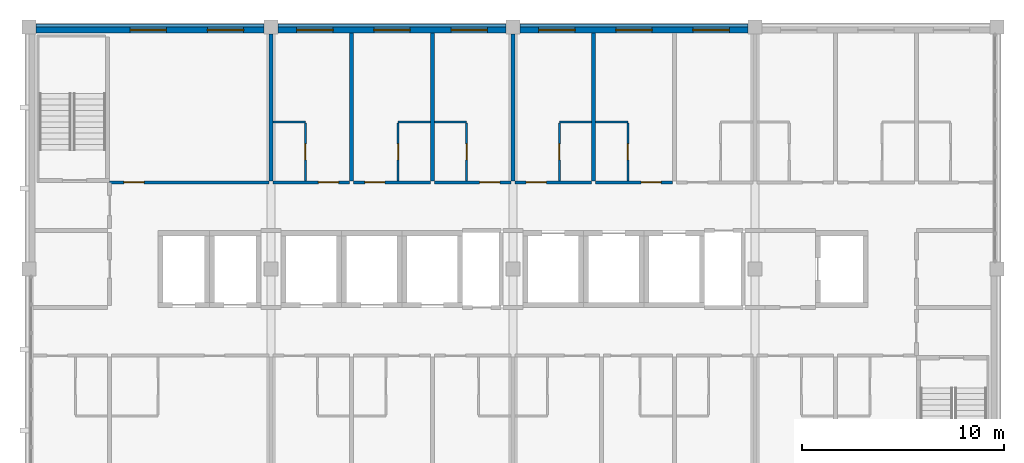
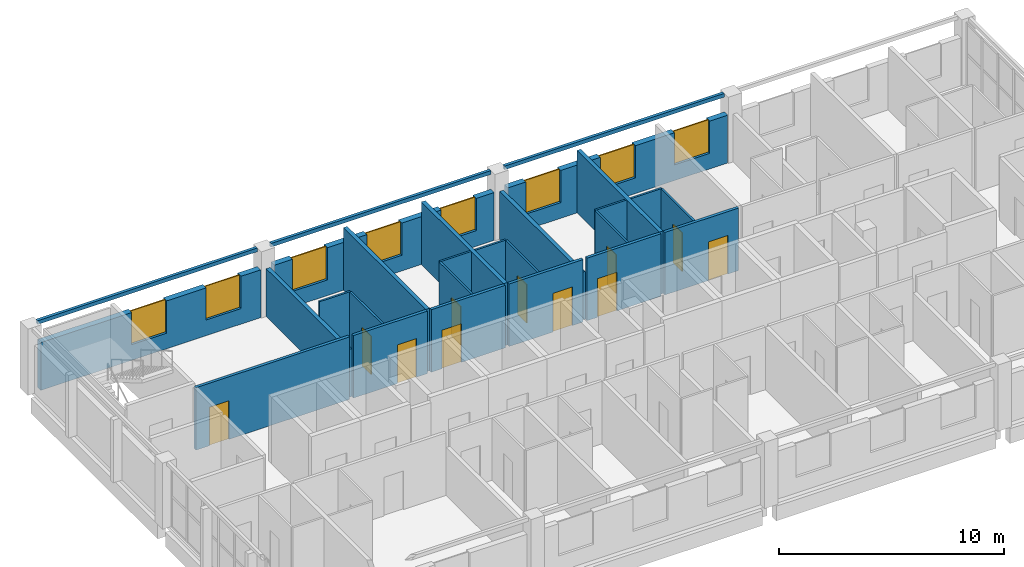
# One storey, part 8 of 11: 27 walls, 11 doors, 8 windows, 19 openings.
"""IFC4 building model written with IfcOpenShell, lengths in metres."""

from ifc_helpers import new_model, si_unit, direction, frame, frame_2d, origin, place, context, subcontext, project, spatial, rectangle, extrude, material, layer, layer_set, type_object, element, fill, save


model = new_model("IFC4")

# Units and contexts
model_context = context("Model", 3, precision=1e-05, world=origin(), true_north=direction((0.0, 1.0)))
body_context = subcontext(model_context, "Body", "Model", "MODEL_VIEW")
ifc_project = project(units=[si_unit("LENGTHUNIT", "METRE"), si_unit("AREAUNIT", "SQUARE_METRE"), si_unit("VOLUMEUNIT", "CUBIC_METRE"), si_unit("PLANEANGLEUNIT", "RADIAN"), si_unit("MASSUNIT", "GRAM", prefix="KILO")], contexts=[model_context])

# Site, building, storey
site_placement = place(None, origin())
site = spatial("IfcSite", under=ifc_project, at=site_placement, CompositionType="ELEMENT")
building_placement = place(site_placement, origin())
building = spatial("IfcBuilding", under=site, at=building_placement, Name="Lilac Gate Convention Centre", CompositionType="ELEMENT")
storey_placement = place(building_placement, frame((0.0, 0.0, 57.0)))
storey = spatial("IfcBuildingStorey", under=building, at=storey_placement, Name="L14", CompositionType="ELEMENT", Elevation=57.0)

# Wall, opening, door
ifc_material_1 = material(Name="Gypsum board on steel stud", Category="steel")
ifc_layer_1 = layer(ifc_material_1, 0.14990234375)
ifc_layer_set_1 = layer_set([ifc_layer_1], Name="Gypsum board on steel stud")
wall_type_1 = type_object("IfcWallType", Name="Corridor wall 150", PredefinedType="PARTITIONING", material=ifc_layer_set_1)
wall_1_placement = place(storey_placement, frame((46.0, 238.300048828125, 0.0), z_axis=(0.0, 0.0, 1.0), x_axis=(1.0, 0.0, 0.0)))
wall_1 = element("IfcWall", 1, at=wall_1_placement, inside=storey, type_object=wall_type_1, Name="Corridor wall 150 front lounge", PredefinedType="PARTITIONING", context=body_context, shape_type="SweptSolid", body=[
    extrude(rectangle(XDim=7.89990234375, YDim=0.14990234375, at=frame_2d((3.949951171875, 0.0))), origin(), (0.0, 0.0, 1.0), 3.39990234375),
])
opening_1_placement = place(wall_1_placement, frame((0.699951171875, 0.0, 0.0)))
opening_1 = element("IfcOpeningElement", 2, at=opening_1_placement, cuts=wall_1, Name="Opening T13-028", PredefinedType="OPENING", context=body_context, shape_type="SweptSolid", body=[
    extrude(rectangle(XDim=1.0, YDim=2.10009765625, at=frame_2d((0.5, 1.050048828125))), frame((0.0, 0.0849609375, 0.0), z_axis=(0.0, -1.0, 0.0), x_axis=(1.0, 0.0, 0.0)), (0.0, 0.0, 1.0), 0.169921875),
])
ifc_material_2 = material(Name="Timber", Category="wood")
door_type_1 = type_object("IfcDoorType", Name="Room door 1000", OperationType="SINGLE_SWING_LEFT", PredefinedType="DOOR", material=ifc_material_2)
door_1_placement = place(opening_1_placement, origin())
door_1 = element("IfcDoor", 3, at=door_1_placement, inside=storey, type_object=door_type_1, Name="Executive lounge door", OperationType="SINGLE_SWING_LEFT", OverallHeight=2.10009765625, OverallWidth=1.0, PredefinedType="DOOR", context=body_context, shape_type="SweptSolid", body=[
    extrude(rectangle(XDim=1.0, YDim=2.10009765625, at=frame_2d((0.5, 1.050048828125))), frame((0.0, 0.02490234375, 0.0), z_axis=(0.0, -1.0, 0.0), x_axis=(1.0, 0.0, 0.0)), (0.0, 0.0, 1.0), 0.050048828125),
])
fill(opening_1, door_1)

wall_2_placement = place(storey_placement, frame((54.10009765625, 238.300048828125, 0.0), z_axis=(0.0, 0.0, 1.0), x_axis=(1.0, 0.0, 0.0)))
wall_2 = element("IfcWall", 4, at=wall_2_placement, inside=storey, type_object=wall_type_1, Name="Corridor wall 150 front 1412", PredefinedType="PARTITIONING", context=body_context, shape_type="SweptSolid", body=[
    extrude(rectangle(XDim=3.7998046875, YDim=0.14990234375, at=frame_2d((1.89990234375, 0.0))), origin(), (0.0, 0.0, 1.0), 3.39990234375),
])
opening_2_placement = place(wall_2_placement, frame((2.25, 0.0, 0.0)))
opening_2 = element("IfcOpeningElement", 5, at=opening_2_placement, cuts=wall_2, Name="Opening T13-029", PredefinedType="OPENING", context=body_context, shape_type="SweptSolid", body=[
    extrude(rectangle(XDim=1.0, YDim=2.10009765625, at=frame_2d((0.5, 1.050048828125))), frame((0.0, 0.0849609375, 0.0), z_axis=(0.0, -1.0, 0.0), x_axis=(1.0, 0.0, 0.0)), (0.0, 0.0, 1.0), 0.169921875),
])
door_type_2 = type_object("IfcDoorType", Name="Guest room entrance door 1000", OperationType="SINGLE_SWING_LEFT", PredefinedType="DOOR", material=ifc_material_2)
door_2_placement = place(opening_2_placement, origin())
door_2 = element("IfcDoor", 6, at=door_2_placement, inside=storey, type_object=door_type_2, Name="Guest room door 1412", OperationType="SINGLE_SWING_RIGHT", OverallHeight=2.10009765625, OverallWidth=1.0, PredefinedType="DOOR", context=body_context, shape_type="SweptSolid", body=[
    extrude(rectangle(XDim=1.0, YDim=2.10009765625, at=frame_2d((0.5, 1.050048828125))), frame((0.0, 0.02490234375, 0.0), z_axis=(0.0, -1.0, 0.0), x_axis=(1.0, 0.0, 0.0)), (0.0, 0.0, 1.0), 0.050048828125),
])
fill(opening_2, door_2)

wall_3_placement = place(storey_placement, frame((58.10009765625, 238.300048828125, 0.0), z_axis=(0.0, 0.0, 1.0), x_axis=(1.0, 0.0, 0.0)))
wall_3 = element("IfcWall", 7, at=wall_3_placement, inside=storey, type_object=wall_type_1, Name="Corridor wall 150 front 1413", PredefinedType="PARTITIONING", context=body_context, shape_type="SweptSolid", body=[
    extrude(rectangle(XDim=3.7998046875, YDim=0.14990234375, at=frame_2d((1.89990234375, 0.0))), origin(), (0.0, 0.0, 1.0), 3.39990234375),
])
opening_3_placement = place(wall_3_placement, frame((0.550048828125, 0.0, 0.0)))
opening_3 = element("IfcOpeningElement", 8, at=opening_3_placement, cuts=wall_3, Name="Opening T13-031", PredefinedType="OPENING", context=body_context, shape_type="SweptSolid", body=[
    extrude(rectangle(XDim=1.0, YDim=2.10009765625, at=frame_2d((0.5, 1.050048828125))), frame((0.0, 0.0849609375, 0.0), z_axis=(0.0, -1.0, 0.0), x_axis=(1.0, 0.0, 0.0)), (0.0, 0.0, 1.0), 0.169921875),
])
door_3_placement = place(opening_3_placement, origin())
door_3 = element("IfcDoor", 9, at=door_3_placement, inside=storey, type_object=door_type_2, Name="Guest room door 1413", OperationType="SINGLE_SWING_LEFT", OverallHeight=2.10009765625, OverallWidth=1.0, PredefinedType="DOOR", context=body_context, shape_type="SweptSolid", body=[
    extrude(rectangle(XDim=1.0, YDim=2.10009765625, at=frame_2d((0.5, 1.050048828125))), frame((0.0, 0.02490234375, 0.0), z_axis=(0.0, -1.0, 0.0), x_axis=(1.0, 0.0, 0.0)), (0.0, 0.0, 1.0), 0.050048828125),
])
fill(opening_3, door_3)

wall_4_placement = place(storey_placement, frame((62.10009765625, 238.300048828125, 0.0), z_axis=(0.0, 0.0, 1.0), x_axis=(1.0, 0.0, 0.0)))
wall_4 = element("IfcWall", 10, at=wall_4_placement, inside=storey, type_object=wall_type_1, Name="Corridor wall 150 front 1414", PredefinedType="PARTITIONING", context=body_context, shape_type="SweptSolid", body=[
    extrude(rectangle(XDim=3.7998046875, YDim=0.14990234375, at=frame_2d((1.89990234375, 0.0))), origin(), (0.0, 0.0, 1.0), 3.39990234375),
])
opening_4_placement = place(wall_4_placement, frame((2.25, 0.0, 0.0)))
opening_4 = element("IfcOpeningElement", 11, at=opening_4_placement, cuts=wall_4, Name="Opening T13-033", PredefinedType="OPENING", context=body_context, shape_type="SweptSolid", body=[
    extrude(rectangle(XDim=1.0, YDim=2.10009765625, at=frame_2d((0.5, 1.050048828125))), frame((0.0, 0.0849609375, 0.0), z_axis=(0.0, -1.0, 0.0), x_axis=(1.0, 0.0, 0.0)), (0.0, 0.0, 1.0), 0.169921875),
])
door_4_placement = place(opening_4_placement, origin())
door_4 = element("IfcDoor", 12, at=door_4_placement, inside=storey, type_object=door_type_2, Name="Guest room door 1414", OperationType="SINGLE_SWING_LEFT", OverallHeight=2.10009765625, OverallWidth=1.0, PredefinedType="DOOR", context=body_context, shape_type="SweptSolid", body=[
    extrude(rectangle(XDim=1.0, YDim=2.10009765625, at=frame_2d((0.5, 1.050048828125))), frame((0.0, 0.02490234375, 0.0), z_axis=(0.0, -1.0, 0.0), x_axis=(1.0, 0.0, 0.0)), (0.0, 0.0, 1.0), 0.050048828125),
])
fill(opening_4, door_4)

wall_5_placement = place(storey_placement, frame((66.10009765625, 238.300048828125, 0.0), z_axis=(0.0, 0.0, 1.0), x_axis=(1.0, 0.0, 0.0)))
wall_5 = element("IfcWall", 13, at=wall_5_placement, inside=storey, type_object=wall_type_1, Name="Corridor wall 150 front 1415", PredefinedType="PARTITIONING", context=body_context, shape_type="SweptSolid", body=[
    extrude(rectangle(XDim=3.7998046875, YDim=0.14990234375, at=frame_2d((1.89990234375, 0.0))), origin(), (0.0, 0.0, 1.0), 3.39990234375),
])
opening_5_placement = place(wall_5_placement, frame((0.550048828125, 0.0, 0.0)))
opening_5 = element("IfcOpeningElement", 14, at=opening_5_placement, cuts=wall_5, Name="Opening T13-035", PredefinedType="OPENING", context=body_context, shape_type="SweptSolid", body=[
    extrude(rectangle(XDim=1.0, YDim=2.10009765625, at=frame_2d((0.5, 1.050048828125))), frame((0.0, 0.0849609375, 0.0), z_axis=(0.0, -1.0, 0.0), x_axis=(1.0, 0.0, 0.0)), (0.0, 0.0, 1.0), 0.169921875),
])
door_5_placement = place(opening_5_placement, origin())
door_5 = element("IfcDoor", 15, at=door_5_placement, inside=storey, type_object=door_type_2, Name="Guest room door 1415", OperationType="SINGLE_SWING_LEFT", OverallHeight=2.10009765625, OverallWidth=1.0, PredefinedType="DOOR", context=body_context, shape_type="SweptSolid", body=[
    extrude(rectangle(XDim=1.0, YDim=2.10009765625, at=frame_2d((0.5, 1.050048828125))), frame((0.0, 0.02490234375, 0.0), z_axis=(0.0, -1.0, 0.0), x_axis=(1.0, 0.0, 0.0)), (0.0, 0.0, 1.0), 0.050048828125),
])
fill(opening_5, door_5)

wall_6_placement = place(storey_placement, frame((70.10009765625, 238.300048828125, 0.0), z_axis=(0.0, 0.0, 1.0), x_axis=(1.0, 0.0, 0.0)))
wall_6 = element("IfcWall", 16, at=wall_6_placement, inside=storey, type_object=wall_type_1, Name="Corridor wall 150 front 1416", PredefinedType="PARTITIONING", context=body_context, shape_type="SweptSolid", body=[
    extrude(rectangle(XDim=3.7998046875, YDim=0.14990234375, at=frame_2d((1.89990234375, 0.0))), origin(), (0.0, 0.0, 1.0), 3.39990234375),
])
opening_6_placement = place(wall_6_placement, frame((2.25, 0.0, 0.0)))
opening_6 = element("IfcOpeningElement", 17, at=opening_6_placement, cuts=wall_6, Name="Opening T13-037", PredefinedType="OPENING", context=body_context, shape_type="SweptSolid", body=[
    extrude(rectangle(XDim=1.0, YDim=2.10009765625, at=frame_2d((0.5, 1.050048828125))), frame((0.0, 0.0849609375, 0.0), z_axis=(0.0, -1.0, 0.0), x_axis=(1.0, 0.0, 0.0)), (0.0, 0.0, 1.0), 0.169921875),
])
door_6_placement = place(opening_6_placement, origin())
door_6 = element("IfcDoor", 18, at=door_6_placement, inside=storey, type_object=door_type_2, Name="Guest room door 1416", OperationType="SINGLE_SWING_LEFT", OverallHeight=2.10009765625, OverallWidth=1.0, PredefinedType="DOOR", context=body_context, shape_type="SweptSolid", body=[
    extrude(rectangle(XDim=1.0, YDim=2.10009765625, at=frame_2d((0.5, 1.050048828125))), frame((0.0, 0.02490234375, 0.0), z_axis=(0.0, -1.0, 0.0), x_axis=(1.0, 0.0, 0.0)), (0.0, 0.0, 1.0), 0.050048828125),
])
fill(opening_6, door_6)

# Wall
ifc_layer_2 = layer(ifc_material_1, 0.10009765625)
ifc_layer_set_2 = layer_set([ifc_layer_2], Name="Gypsum board on steel stud")
wall_type_2 = type_object("IfcWallType", Name="En-suite wall 100", PredefinedType="PARTITIONING", material=ifc_layer_set_2)
wall_7_placement = place(storey_placement, frame((54.10009765625, 241.300048828125, 0.0), z_axis=(0.0, 0.0, 1.0), x_axis=(1.0, 0.0, 0.0)))
element("IfcWall", 19, at=wall_7_placement, inside=storey, type_object=wall_type_2, Name="En-suite wall 100 bath 1412", PredefinedType="PARTITIONING", context=body_context, shape_type="SweptSolid", body=[
    extrude(rectangle(XDim=1.599853515625, YDim=0.10009765625, at=frame_2d((0.7998046875, 0.0))), origin(), (0.0, 0.0, 1.0), 3.39990234375),
])

# Wall, opening, door
wall_8_placement = place(storey_placement, frame((55.699951171875, 241.25, 0.0), z_axis=(0.0, 0.0, 1.0), x_axis=(0.0, -1.0, 0.0)))
wall_8 = element("IfcWall", 20, at=wall_8_placement, inside=storey, type_object=wall_type_2, Name="En-suite wall 100 bath side 1412", PredefinedType="PARTITIONING", context=body_context, shape_type="SweptSolid", body=[
    extrude(rectangle(XDim=2.875, YDim=0.10009765625, at=frame_2d((1.4375, 0.0))), origin(), (0.0, 0.0, 1.0), 3.39990234375),
])
opening_7_placement = place(wall_8_placement, frame((1.03759765625, 0.0, 0.0)))
opening_7 = element("IfcOpeningElement", 21, at=opening_7_placement, cuts=wall_8, Name="Opening T13-030", PredefinedType="OPENING", context=body_context, shape_type="SweptSolid", body=[
    extrude(rectangle(XDim=0.800048828125, YDim=2.10009765625, at=frame_2d((0.39990234375, 1.050048828125))), frame((0.0, 0.06005859375, 0.0), z_axis=(0.0, -1.0, 0.0), x_axis=(1.0, 0.0, 0.0)), (0.0, 0.0, 1.0), 0.1201171875),
])
door_type_3 = type_object("IfcDoorType", Name="En-suite door 800", OperationType="SINGLE_SWING_LEFT", PredefinedType="DOOR", material=ifc_material_2)
door_7_placement = place(opening_7_placement, origin())
door_7 = element("IfcDoor", 22, at=door_7_placement, inside=storey, type_object=door_type_3, Name="En-suite door 1412", OperationType="SINGLE_SWING_RIGHT", OverallHeight=2.10009765625, OverallWidth=0.800048828125, PredefinedType="DOOR", context=body_context, shape_type="SweptSolid", body=[
    extrude(rectangle(XDim=0.800048828125, YDim=2.10009765625, at=frame_2d((0.39990234375, 1.050048828125))), frame((0.0, 0.02490234375, 0.0), z_axis=(0.0, -1.0, 0.0), x_axis=(1.0, 0.0, 0.0)), (0.0, 0.0, 1.0), 0.050048828125),
])
fill(opening_7, door_7)

# Wall
wall_9_placement = place(storey_placement, frame((60.300048828125, 241.300048828125, 0.0), z_axis=(0.0, 0.0, 1.0), x_axis=(1.0, 0.0, 0.0)))
element("IfcWall", 23, at=wall_9_placement, inside=storey, type_object=wall_type_2, Name="En-suite wall 100 bath 1413", PredefinedType="PARTITIONING", context=body_context, shape_type="SweptSolid", body=[
    extrude(rectangle(XDim=1.599853515625, YDim=0.10009765625, at=frame_2d((0.7998046875, 0.0))), origin(), (0.0, 0.0, 1.0), 3.39990234375),
])

# Wall, opening, door
wall_10_placement = place(storey_placement, frame((60.300048828125, 238.375, 0.0), z_axis=(0.0, 0.0, 1.0), x_axis=(0.0, 1.0, 0.0)))
wall_10 = element("IfcWall", 24, at=wall_10_placement, inside=storey, type_object=wall_type_2, Name="En-suite wall 100 bath side 1413", PredefinedType="PARTITIONING", context=body_context, shape_type="SweptSolid", body=[
    extrude(rectangle(XDim=2.875, YDim=0.10009765625, at=frame_2d((1.4375, 0.0))), origin(), (0.0, 0.0, 1.0), 3.39990234375),
])
opening_8_placement = place(wall_10_placement, frame((1.03759765625, 0.0, 0.0)))
opening_8 = element("IfcOpeningElement", 25, at=opening_8_placement, cuts=wall_10, Name="Opening T13-032", PredefinedType="OPENING", context=body_context, shape_type="SweptSolid", body=[
    extrude(rectangle(XDim=0.800048828125, YDim=2.10009765625, at=frame_2d((0.39990234375, 1.050048828125))), frame((0.0, 0.06005859375, 0.0), z_axis=(0.0, -1.0, 0.0), x_axis=(1.0, 0.0, 0.0)), (0.0, 0.0, 1.0), 0.1201171875),
])
door_8_placement = place(opening_8_placement, origin())
door_8 = element("IfcDoor", 26, at=door_8_placement, inside=storey, type_object=door_type_3, Name="En-suite door 1413", OperationType="SINGLE_SWING_LEFT", OverallHeight=2.10009765625, OverallWidth=0.800048828125, PredefinedType="DOOR", context=body_context, shape_type="SweptSolid", body=[
    extrude(rectangle(XDim=0.800048828125, YDim=2.10009765625, at=frame_2d((0.39990234375, 1.050048828125))), frame((0.0, 0.02490234375, 0.0), z_axis=(0.0, -1.0, 0.0), x_axis=(1.0, 0.0, 0.0)), (0.0, 0.0, 1.0), 0.050048828125),
])
fill(opening_8, door_8)

# Wall
wall_11_placement = place(storey_placement, frame((62.10009765625, 241.300048828125, 0.0), z_axis=(0.0, 0.0, 1.0), x_axis=(1.0, 0.0, 0.0)))
element("IfcWall", 27, at=wall_11_placement, inside=storey, type_object=wall_type_2, Name="En-suite wall 100 bath 1414", PredefinedType="PARTITIONING", context=body_context, shape_type="SweptSolid", body=[
    extrude(rectangle(XDim=1.599853515625, YDim=0.10009765625, at=frame_2d((0.7998046875, 0.0))), origin(), (0.0, 0.0, 1.0), 3.39990234375),
])

# Wall, opening, door
wall_12_placement = place(storey_placement, frame((63.699951171875, 241.25, 0.0), z_axis=(0.0, 0.0, 1.0), x_axis=(0.0, -1.0, 0.0)))
wall_12 = element("IfcWall", 28, at=wall_12_placement, inside=storey, type_object=wall_type_2, Name="En-suite wall 100 bath side 1414", PredefinedType="PARTITIONING", context=body_context, shape_type="SweptSolid", body=[
    extrude(rectangle(XDim=2.875, YDim=0.10009765625, at=frame_2d((1.4375, 0.0))), origin(), (0.0, 0.0, 1.0), 3.39990234375),
])
opening_9_placement = place(wall_12_placement, frame((1.03759765625, 0.0, 0.0)))
opening_9 = element("IfcOpeningElement", 29, at=opening_9_placement, cuts=wall_12, Name="Opening T13-034", PredefinedType="OPENING", context=body_context, shape_type="SweptSolid", body=[
    extrude(rectangle(XDim=0.800048828125, YDim=2.10009765625, at=frame_2d((0.39990234375, 1.050048828125))), frame((0.0, 0.06005859375, 0.0), z_axis=(0.0, -1.0, 0.0), x_axis=(1.0, 0.0, 0.0)), (0.0, 0.0, 1.0), 0.1201171875),
])
door_9_placement = place(opening_9_placement, origin())
door_9 = element("IfcDoor", 30, at=door_9_placement, inside=storey, type_object=door_type_3, Name="En-suite door 1414", OperationType="SINGLE_SWING_RIGHT", OverallHeight=2.10009765625, OverallWidth=0.800048828125, PredefinedType="DOOR", context=body_context, shape_type="SweptSolid", body=[
    extrude(rectangle(XDim=0.800048828125, YDim=2.10009765625, at=frame_2d((0.39990234375, 1.050048828125))), frame((0.0, 0.02490234375, 0.0), z_axis=(0.0, -1.0, 0.0), x_axis=(1.0, 0.0, 0.0)), (0.0, 0.0, 1.0), 0.050048828125),
])
fill(opening_9, door_9)

# Wall
wall_13_placement = place(storey_placement, frame((68.300048828125, 241.300048828125, 0.0), z_axis=(0.0, 0.0, 1.0), x_axis=(1.0, 0.0, 0.0)))
element("IfcWall", 31, at=wall_13_placement, inside=storey, type_object=wall_type_2, Name="En-suite wall 100 bath 1415", PredefinedType="PARTITIONING", context=body_context, shape_type="SweptSolid", body=[
    extrude(rectangle(XDim=1.599853515625, YDim=0.10009765625, at=frame_2d((0.7998046875, 0.0))), origin(), (0.0, 0.0, 1.0), 3.39990234375),
])

# Wall, opening, door
wall_14_placement = place(storey_placement, frame((68.300048828125, 238.375, 0.0), z_axis=(0.0, 0.0, 1.0), x_axis=(0.0, 1.0, 0.0)))
wall_14 = element("IfcWall", 32, at=wall_14_placement, inside=storey, type_object=wall_type_2, Name="En-suite wall 100 bath side 1415", PredefinedType="PARTITIONING", context=body_context, shape_type="SweptSolid", body=[
    extrude(rectangle(XDim=2.875, YDim=0.10009765625, at=frame_2d((1.4375, 0.0))), origin(), (0.0, 0.0, 1.0), 3.39990234375),
])
opening_10_placement = place(wall_14_placement, frame((1.03759765625, 0.0, 0.0)))
opening_10 = element("IfcOpeningElement", 33, at=opening_10_placement, cuts=wall_14, Name="Opening T13-036", PredefinedType="OPENING", context=body_context, shape_type="SweptSolid", body=[
    extrude(rectangle(XDim=0.800048828125, YDim=2.10009765625, at=frame_2d((0.39990234375, 1.050048828125))), frame((0.0, 0.06005859375, 0.0), z_axis=(0.0, -1.0, 0.0), x_axis=(1.0, 0.0, 0.0)), (0.0, 0.0, 1.0), 0.1201171875),
])
door_10_placement = place(opening_10_placement, origin())
door_10 = element("IfcDoor", 34, at=door_10_placement, inside=storey, type_object=door_type_3, Name="En-suite door 1415", OperationType="SINGLE_SWING_LEFT", OverallHeight=2.10009765625, OverallWidth=0.800048828125, PredefinedType="DOOR", context=body_context, shape_type="SweptSolid", body=[
    extrude(rectangle(XDim=0.800048828125, YDim=2.10009765625, at=frame_2d((0.39990234375, 1.050048828125))), frame((0.0, 0.02490234375, 0.0), z_axis=(0.0, -1.0, 0.0), x_axis=(1.0, 0.0, 0.0)), (0.0, 0.0, 1.0), 0.050048828125),
])
fill(opening_10, door_10)

# Wall
wall_15_placement = place(storey_placement, frame((70.10009765625, 241.300048828125, 0.0), z_axis=(0.0, 0.0, 1.0), x_axis=(1.0, 0.0, 0.0)))
element("IfcWall", 35, at=wall_15_placement, inside=storey, type_object=wall_type_2, Name="En-suite wall 100 bath 1416", PredefinedType="PARTITIONING", context=body_context, shape_type="SweptSolid", body=[
    extrude(rectangle(XDim=1.599853515625, YDim=0.10009765625, at=frame_2d((0.7998046875, 0.0))), origin(), (0.0, 0.0, 1.0), 3.39990234375),
])

# Wall, opening, door
wall_16_placement = place(storey_placement, frame((71.699951171875, 241.25, 0.0), z_axis=(0.0, 0.0, 1.0), x_axis=(0.0, -1.0, 0.0)))
wall_16 = element("IfcWall", 36, at=wall_16_placement, inside=storey, type_object=wall_type_2, Name="En-suite wall 100 bath side 1416", PredefinedType="PARTITIONING", context=body_context, shape_type="SweptSolid", body=[
    extrude(rectangle(XDim=2.875, YDim=0.10009765625, at=frame_2d((1.4375, 0.0))), origin(), (0.0, 0.0, 1.0), 3.39990234375),
])
opening_11_placement = place(wall_16_placement, frame((1.03759765625, 0.0, 0.0)))
opening_11 = element("IfcOpeningElement", 37, at=opening_11_placement, cuts=wall_16, Name="Opening T13-038", PredefinedType="OPENING", context=body_context, shape_type="SweptSolid", body=[
    extrude(rectangle(XDim=0.800048828125, YDim=2.10009765625, at=frame_2d((0.39990234375, 1.050048828125))), frame((0.0, 0.06005859375, 0.0), z_axis=(0.0, -1.0, 0.0), x_axis=(1.0, 0.0, 0.0)), (0.0, 0.0, 1.0), 0.1201171875),
])
door_11_placement = place(opening_11_placement, origin())
door_11 = element("IfcDoor", 38, at=door_11_placement, inside=storey, type_object=door_type_3, Name="En-suite door 1416", OperationType="SINGLE_SWING_RIGHT", OverallHeight=2.10009765625, OverallWidth=0.800048828125, PredefinedType="DOOR", context=body_context, shape_type="SweptSolid", body=[
    extrude(rectangle(XDim=0.800048828125, YDim=2.10009765625, at=frame_2d((0.39990234375, 1.050048828125))), frame((0.0, 0.02490234375, 0.0), z_axis=(0.0, -1.0, 0.0), x_axis=(1.0, 0.0, 0.0)), (0.0, 0.0, 1.0), 0.050048828125),
])
fill(opening_11, door_11)

# Walls
ifc_layer_3 = layer(ifc_material_1, 0.199951171875)
ifc_layer_set_3 = layer_set([ifc_layer_3], Name="Gypsum board on steel stud")
wall_type_3 = type_object("IfcWallType", Name="Guest room party wall 200", PredefinedType="PARTITIONING", material=ifc_layer_set_3)
wall_17_placement = place(storey_placement, frame((54.0, 245.64990234375, 0.0), z_axis=(0.0, 0.0, 1.0), x_axis=(0.0, -1.0, 0.0)))
element("IfcWall", 39, at=wall_17_placement, inside=storey, type_object=wall_type_3, Name="Guest room party wall 200 party 54.0", PredefinedType="PARTITIONING", context=body_context, shape_type="SweptSolid", body=[
    extrude(rectangle(XDim=7.27490234375, YDim=0.199951171875, at=frame_2d((3.637451171875, 0.0))), origin(), (0.0, 0.0, 1.0), 2.60009765625),
])
for number, where, z_axis, x_axis, name in (
    (40, (58.0, 245.7001953125, 0.0), (0.0, 0.0, 1.0), (0.0, -1.0, 0.0), "Guest room party wall 200 party 58.0"),
    (41, (62.0, 245.7001953125, 0.0), (0.0, 0.0, 1.0), (0.0, -1.0, 0.0), "Guest room party wall 200 party 62.0"),
):
    element("IfcWall", number, at=place(storey_placement, frame(where, z_axis=z_axis, x_axis=x_axis)), inside=storey, type_object=wall_type_3, Name=name, PredefinedType="PARTITIONING", context=body_context, shape_type="SweptSolid", body=[
        extrude(rectangle(XDim=7.3251953125, YDim=0.199951171875, at=frame_2d((3.66259765625, 0.0))), origin(), (0.0, 0.0, 1.0), 3.39990234375),
    ])
wall_18_placement = place(storey_placement, frame((66.0, 245.64990234375, 0.0), z_axis=(0.0, 0.0, 1.0), x_axis=(0.0, -1.0, 0.0)))
element("IfcWall", 42, at=wall_18_placement, inside=storey, type_object=wall_type_3, Name="Guest room party wall 200 party 66.0", PredefinedType="PARTITIONING", context=body_context, shape_type="SweptSolid", body=[
    extrude(rectangle(XDim=7.27490234375, YDim=0.199951171875, at=frame_2d((3.637451171875, 0.0))), origin(), (0.0, 0.0, 1.0), 2.60009765625),
])
wall_19_placement = place(storey_placement, frame((70.0, 245.7001953125, 0.0), z_axis=(0.0, 0.0, 1.0), x_axis=(0.0, -1.0, 0.0)))
element("IfcWall", 43, at=wall_19_placement, inside=storey, type_object=wall_type_3, Name="Guest room party wall 200 party 70.0", PredefinedType="PARTITIONING", context=body_context, shape_type="SweptSolid", body=[
    extrude(rectangle(XDim=7.3251953125, YDim=0.199951171875, at=frame_2d((3.66259765625, 0.0))), origin(), (0.0, 0.0, 1.0), 3.39990234375),
])
ifc_material_3 = material(Name="Concrete C40 precast", Category="concrete")
ifc_layer_4 = layer(ifc_material_3, 0.1298828125)
ifc_material_4 = material(Name="Ochre mineral render")
ifc_layer_5 = layer(ifc_material_4, 0.02001953125)
ifc_layer_set_4 = layer_set([ifc_layer_4, ifc_layer_5], Name="Concrete C40 precast, Ochre mineral render")
wall_type_4 = type_object("IfcWallType", Name="Precast band ochre 150", PredefinedType="STANDARD", material=ifc_layer_set_4)
for number, where, z_axis, x_axis, name in (
    (44, (77.64990234375, 246.074951171875, 3.39990234375), (0.0, 0.0, 1.0), (-1.0, 0.0, 0.0), "Precast band N L14 2"),
    (45, (65.64990234375, 246.074951171875, 3.39990234375), (0.0, 0.0, 1.0), (-1.0, 0.0, 0.0), "Precast band N L14 3"),
    (46, (53.64990234375, 246.074951171875, 3.39990234375), (0.0, 0.0, 1.0), (-1.0, 0.0, 0.0), "Precast band N L14 4"),
):
    element("IfcWall", number, at=place(storey_placement, frame(where, z_axis=z_axis, x_axis=x_axis)), inside=storey, type_object=wall_type_4, Name=name, PredefinedType="STANDARD", context=body_context, shape_type="SweptSolid", body=[
        extrude(rectangle(XDim=11.2998046875, YDim=0.14990234375, at=frame_2d((5.64990234375, 0.0))), origin(), (0.0, 0.0, 1.0), 0.2001953125),
    ])

# Wall, openings, windows
ifc_material_5 = material(Name="Terracotta glazed cladding", Category="masonry")
ifc_layer_6 = layer(ifc_material_5, 0.02001953125)
ifc_layer_7 = layer(ifc_material_3, 0.06005859375)
ifc_material_6 = material(Name="Ventilated air cavity")
ifc_layer_8 = layer(ifc_material_6, 0.030029296875)
ifc_material_7 = material(Name="Mineral wool insulation")
ifc_layer_9 = layer(ifc_material_7, 0.1201171875)
ifc_material_8 = material(Name="Steel stud Q345 and gypsum lining", Category="steel")
ifc_layer_10 = layer(ifc_material_8, 0.070068359375)
ifc_layer_set_5 = layer_set([ifc_layer_6, ifc_layer_7, ifc_layer_8, ifc_layer_9, ifc_layer_10], Name="Terracotta glazed cladding, Concrete C40 precast, Ventilated air cavity, Mineral wool insulation, Steel stud Q345 and gypsum lining")
wall_type_5 = type_object("IfcWallType", Name="Precast panel wall terracotta 300", PredefinedType="STANDARD", material=ifc_layer_set_5)
wall_20_placement = place(storey_placement, frame((77.64990234375, 245.85009765625, 0.0), z_axis=(0.0, 0.0, 1.0), x_axis=(-1.0, 0.0, 0.0)))
wall_20 = element("IfcWall", 47, at=wall_20_placement, inside=storey, type_object=wall_type_5, Name="External wall N L14 2", PredefinedType="STANDARD", context=body_context, shape_type="SweptSolid", body=[
    extrude(rectangle(XDim=11.2998046875, YDim=0.300048828125, at=frame_2d((5.64990234375, 0.0))), origin(), (0.0, 0.0, 1.0), 2.60009765625),
])
opening_12_placement = place(wall_20_placement, frame((8.574951171875, 0.0, 0.85009765625)))
opening_12 = element("IfcOpeningElement", 48, at=opening_12_placement, cuts=wall_20, Name="Opening W1", PredefinedType="OPENING", context=body_context, shape_type="SweptSolid", body=[
    extrude(rectangle(XDim=1.800048828125, YDim=1.75, at=frame_2d((0.89990234375, 0.875))), frame((0.0, 0.159912109375, 0.0), z_axis=(0.0, -1.0, 0.0), x_axis=(1.0, 0.0, 0.0)), (0.0, 0.0, 1.0), 0.320068359375),
])
opening_13_placement = place(wall_20_placement, frame((4.75, 0.0, 0.85009765625)))
opening_13 = element("IfcOpeningElement", 49, at=opening_13_placement, cuts=wall_20, Name="Opening W1", PredefinedType="OPENING", context=body_context, shape_type="SweptSolid", body=[
    extrude(rectangle(XDim=1.800048828125, YDim=1.75, at=frame_2d((0.89990234375, 0.875))), frame((0.0, 0.159912109375, 0.0), z_axis=(0.0, -1.0, 0.0), x_axis=(1.0, 0.0, 0.0)), (0.0, 0.0, 1.0), 0.320068359375),
])
opening_14_placement = place(wall_20_placement, frame((0.925048828125, 0.0, 0.85009765625)))
opening_14 = element("IfcOpeningElement", 50, at=opening_14_placement, cuts=wall_20, Name="Opening W1", PredefinedType="OPENING", context=body_context, shape_type="SweptSolid", body=[
    extrude(rectangle(XDim=1.800048828125, YDim=1.75, at=frame_2d((0.89990234375, 0.875))), frame((0.0, 0.159912109375, 0.0), z_axis=(0.0, -1.0, 0.0), x_axis=(1.0, 0.0, 0.0)), (0.0, 0.0, 1.0), 0.320068359375),
])
ifc_material_9 = material(Name="Aluminium framed double glazing", Category="aluminium")
window_type = type_object("IfcWindowType", Name="Guest room window 1800 x 1750", PartitioningType="DOUBLE_PANEL_VERTICAL", PredefinedType="WINDOW", material=ifc_material_9)
window_1_placement = place(opening_12_placement, origin())
window_1 = element("IfcWindow", 51, at=window_1_placement, inside=storey, type_object=window_type, Name="Window Guest N L14", OverallHeight=1.75, OverallWidth=1.800048828125, PartitioningType="SINGLE_PANEL", PredefinedType="WINDOW", context=body_context, shape_type="SweptSolid", body=[
    extrude(rectangle(XDim=1.800048828125, YDim=1.75, at=frame_2d((0.89990234375, 0.875))), frame((0.0, 0.030029296875, 0.0), z_axis=(0.0, -1.0, 0.0), x_axis=(1.0, 0.0, 0.0)), (0.0, 0.0, 1.0), 0.06005859375),
])
fill(opening_12, window_1)
window_2_placement = place(opening_13_placement, origin())
window_2 = element("IfcWindow", 52, at=window_2_placement, inside=storey, type_object=window_type, Name="Window Guest N L14", OverallHeight=1.75, OverallWidth=1.800048828125, PartitioningType="SINGLE_PANEL", PredefinedType="WINDOW", context=body_context, shape_type="SweptSolid", body=[
    extrude(rectangle(XDim=1.800048828125, YDim=1.75, at=frame_2d((0.89990234375, 0.875))), frame((0.0, 0.030029296875, 0.0), z_axis=(0.0, -1.0, 0.0), x_axis=(1.0, 0.0, 0.0)), (0.0, 0.0, 1.0), 0.06005859375),
])
fill(opening_13, window_2)
window_3_placement = place(opening_14_placement, origin())
window_3 = element("IfcWindow", 53, at=window_3_placement, inside=storey, type_object=window_type, Name="Window Guest N L14", OverallHeight=1.75, OverallWidth=1.800048828125, PartitioningType="SINGLE_PANEL", PredefinedType="WINDOW", context=body_context, shape_type="SweptSolid", body=[
    extrude(rectangle(XDim=1.800048828125, YDim=1.75, at=frame_2d((0.89990234375, 0.875))), frame((0.0, 0.030029296875, 0.0), z_axis=(0.0, -1.0, 0.0), x_axis=(1.0, 0.0, 0.0)), (0.0, 0.0, 1.0), 0.06005859375),
])
fill(opening_14, window_3)

wall_21_placement = place(storey_placement, frame((65.64990234375, 245.85009765625, 0.0), z_axis=(0.0, 0.0, 1.0), x_axis=(-1.0, 0.0, 0.0)))
wall_21 = element("IfcWall", 54, at=wall_21_placement, inside=storey, type_object=wall_type_5, Name="External wall N L14 3", PredefinedType="STANDARD", context=body_context, shape_type="SweptSolid", body=[
    extrude(rectangle(XDim=11.2998046875, YDim=0.300048828125, at=frame_2d((5.64990234375, 0.0))), origin(), (0.0, 0.0, 1.0), 2.60009765625),
])
opening_15_placement = place(wall_21_placement, frame((8.574951171875, 0.0, 0.85009765625)))
opening_15 = element("IfcOpeningElement", 55, at=opening_15_placement, cuts=wall_21, Name="Opening W1", PredefinedType="OPENING", context=body_context, shape_type="SweptSolid", body=[
    extrude(rectangle(XDim=1.800048828125, YDim=1.75, at=frame_2d((0.89990234375, 0.875))), frame((0.0, 0.159912109375, 0.0), z_axis=(0.0, -1.0, 0.0), x_axis=(1.0, 0.0, 0.0)), (0.0, 0.0, 1.0), 0.320068359375),
])
opening_16_placement = place(wall_21_placement, frame((4.75, 0.0, 0.85009765625)))
opening_16 = element("IfcOpeningElement", 56, at=opening_16_placement, cuts=wall_21, Name="Opening W1", PredefinedType="OPENING", context=body_context, shape_type="SweptSolid", body=[
    extrude(rectangle(XDim=1.800048828125, YDim=1.75, at=frame_2d((0.89990234375, 0.875))), frame((0.0, 0.159912109375, 0.0), z_axis=(0.0, -1.0, 0.0), x_axis=(1.0, 0.0, 0.0)), (0.0, 0.0, 1.0), 0.320068359375),
])
opening_17_placement = place(wall_21_placement, frame((0.925048828125, 0.0, 0.85009765625)))
opening_17 = element("IfcOpeningElement", 57, at=opening_17_placement, cuts=wall_21, Name="Opening W1", PredefinedType="OPENING", context=body_context, shape_type="SweptSolid", body=[
    extrude(rectangle(XDim=1.800048828125, YDim=1.75, at=frame_2d((0.89990234375, 0.875))), frame((0.0, 0.159912109375, 0.0), z_axis=(0.0, -1.0, 0.0), x_axis=(1.0, 0.0, 0.0)), (0.0, 0.0, 1.0), 0.320068359375),
])
window_4_placement = place(opening_15_placement, origin())
window_4 = element("IfcWindow", 58, at=window_4_placement, inside=storey, type_object=window_type, Name="Window Guest N L14", OverallHeight=1.75, OverallWidth=1.800048828125, PartitioningType="SINGLE_PANEL", PredefinedType="WINDOW", context=body_context, shape_type="SweptSolid", body=[
    extrude(rectangle(XDim=1.800048828125, YDim=1.75, at=frame_2d((0.89990234375, 0.875))), frame((0.0, 0.030029296875, 0.0), z_axis=(0.0, -1.0, 0.0), x_axis=(1.0, 0.0, 0.0)), (0.0, 0.0, 1.0), 0.06005859375),
])
fill(opening_15, window_4)
window_5_placement = place(opening_16_placement, origin())
window_5 = element("IfcWindow", 59, at=window_5_placement, inside=storey, type_object=window_type, Name="Window Guest N L14", OverallHeight=1.75, OverallWidth=1.800048828125, PartitioningType="SINGLE_PANEL", PredefinedType="WINDOW", context=body_context, shape_type="SweptSolid", body=[
    extrude(rectangle(XDim=1.800048828125, YDim=1.75, at=frame_2d((0.89990234375, 0.875))), frame((0.0, 0.030029296875, 0.0), z_axis=(0.0, -1.0, 0.0), x_axis=(1.0, 0.0, 0.0)), (0.0, 0.0, 1.0), 0.06005859375),
])
fill(opening_16, window_5)
window_6_placement = place(opening_17_placement, origin())
window_6 = element("IfcWindow", 60, at=window_6_placement, inside=storey, type_object=window_type, Name="Window Guest N L14", OverallHeight=1.75, OverallWidth=1.800048828125, PartitioningType="SINGLE_PANEL", PredefinedType="WINDOW", context=body_context, shape_type="SweptSolid", body=[
    extrude(rectangle(XDim=1.800048828125, YDim=1.75, at=frame_2d((0.89990234375, 0.875))), frame((0.0, 0.030029296875, 0.0), z_axis=(0.0, -1.0, 0.0), x_axis=(1.0, 0.0, 0.0)), (0.0, 0.0, 1.0), 0.06005859375),
])
fill(opening_17, window_6)

wall_22_placement = place(storey_placement, frame((53.64990234375, 245.85009765625, 0.0), z_axis=(0.0, 0.0, 1.0), x_axis=(-1.0, 0.0, 0.0)))
wall_22 = element("IfcWall", 61, at=wall_22_placement, inside=storey, type_object=wall_type_5, Name="External wall N L14 4", PredefinedType="STANDARD", context=body_context, shape_type="SweptSolid", body=[
    extrude(rectangle(XDim=11.2998046875, YDim=0.300048828125, at=frame_2d((5.64990234375, 0.0))), origin(), (0.0, 0.0, 1.0), 2.60009765625),
])
opening_18_placement = place(wall_22_placement, frame((1.012451171875, 0.0, 0.85009765625)))
opening_18 = element("IfcOpeningElement", 62, at=opening_18_placement, cuts=wall_22, Name="Opening W1", PredefinedType="OPENING", context=body_context, shape_type="SweptSolid", body=[
    extrude(rectangle(XDim=1.800048828125, YDim=1.75, at=frame_2d((0.89990234375, 0.875))), frame((0.0, 0.159912109375, 0.0), z_axis=(0.0, -1.0, 0.0), x_axis=(1.0, 0.0, 0.0)), (0.0, 0.0, 1.0), 0.320068359375),
])
opening_19_placement = place(wall_22_placement, frame((4.83740234375, 0.0, 0.85009765625)))
opening_19 = element("IfcOpeningElement", 63, at=opening_19_placement, cuts=wall_22, Name="Opening W1", PredefinedType="OPENING", context=body_context, shape_type="SweptSolid", body=[
    extrude(rectangle(XDim=1.800048828125, YDim=1.75, at=frame_2d((0.89990234375, 0.875))), frame((0.0, 0.159912109375, 0.0), z_axis=(0.0, -1.0, 0.0), x_axis=(1.0, 0.0, 0.0)), (0.0, 0.0, 1.0), 0.320068359375),
])
window_7_placement = place(opening_18_placement, origin())
window_7 = element("IfcWindow", 64, at=window_7_placement, inside=storey, type_object=window_type, Name="Window Guest N L14", OverallHeight=1.75, OverallWidth=1.800048828125, PartitioningType="SINGLE_PANEL", PredefinedType="WINDOW", context=body_context, shape_type="SweptSolid", body=[
    extrude(rectangle(XDim=1.800048828125, YDim=1.75, at=frame_2d((0.89990234375, 0.875))), frame((0.0, 0.030029296875, 0.0), z_axis=(0.0, -1.0, 0.0), x_axis=(1.0, 0.0, 0.0)), (0.0, 0.0, 1.0), 0.06005859375),
])
fill(opening_18, window_7)
window_8_placement = place(opening_19_placement, origin())
window_8 = element("IfcWindow", 65, at=window_8_placement, inside=storey, type_object=window_type, Name="Window Guest N L14", OverallHeight=1.75, OverallWidth=1.800048828125, PartitioningType="SINGLE_PANEL", PredefinedType="WINDOW", context=body_context, shape_type="SweptSolid", body=[
    extrude(rectangle(XDim=1.800048828125, YDim=1.75, at=frame_2d((0.89990234375, 0.875))), frame((0.0, 0.030029296875, 0.0), z_axis=(0.0, -1.0, 0.0), x_axis=(1.0, 0.0, 0.0)), (0.0, 0.0, 1.0), 0.06005859375),
])
fill(opening_19, window_8)

save(model, "model.ifc")
